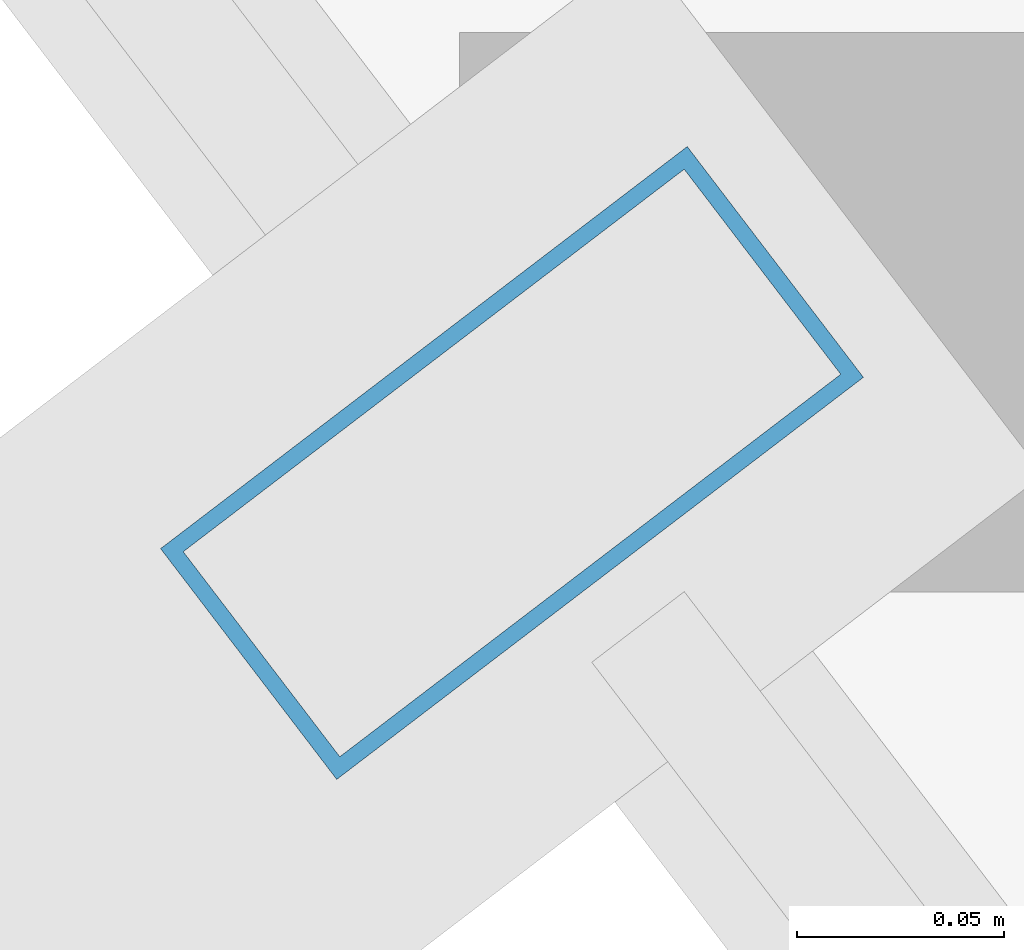
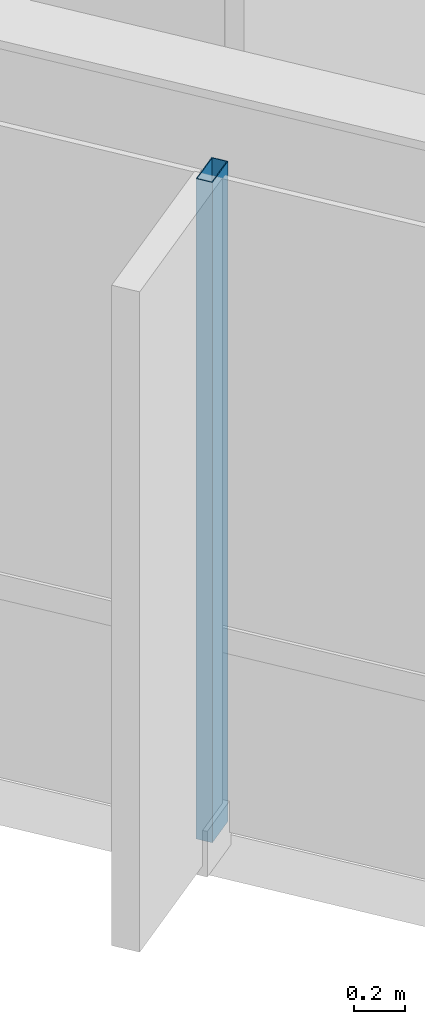
# One storey, part 5 of 22: 1 member, 1 element without a shape of its own.
"""IFC4 building model written with IfcOpenShell, lengths in metres."""

from ifc_helpers import new_model, si_unit, direction, frame, origin, origin_2d, place, context, subcontext, project, spatial, hollow_rectangle, extrude, material, layer, layer_set, material_profile, profile_set, type_object, element, aggregate, save


model = new_model("IFC4")

# Units and contexts
model_context = context("Model", 3, precision=1e-05, world=origin(), true_north=direction((0.0, 1.0)))
body_context = subcontext(model_context, "Body", "Model", "MODEL_VIEW")
ifc_project = project(units=[si_unit("LENGTHUNIT", "METRE"), si_unit("AREAUNIT", "SQUARE_METRE"), si_unit("VOLUMEUNIT", "CUBIC_METRE"), si_unit("PLANEANGLEUNIT", "RADIAN"), si_unit("MASSUNIT", "GRAM", prefix="KILO")], contexts=[model_context])

# Site, building, storey
site_placement = place(None, origin())
site = spatial("IfcSite", under=ifc_project, at=site_placement, CompositionType="ELEMENT")
building_placement = place(site_placement, origin())
building = spatial("IfcBuilding", under=site, at=building_placement, Name="Zarrinselat Tower", CompositionType="ELEMENT")
storey_placement = place(building_placement, frame((0.0, 0.0, 292.39990234375)))
storey = spatial("IfcBuildingStorey", under=building, at=storey_placement, Name="L75", CompositionType="ELEMENT", Elevation=292.39990234375)

# Curtain wall, member
ifc_material_1 = material(Name="Extruded Aluminium Alloy EN AW-6063 T6", Category="aluminium")
ifc_layer = layer(ifc_material_1, 0.169921875)
ifc_layer_set = layer_set([ifc_layer], Name="Extruded Aluminium Alloy EN AW-6063 T6")
curtain_wall_type = type_object("IfcCurtainWallType", Name="CWS-RES", PredefinedType="NOTDEFINED", material=ifc_layer_set)
curtain_wall_placement = place(storey_placement, origin())
curtain_wall = element("IfcCurtainWall", 1, at=curtain_wall_placement, inside=storey, type_object=curtain_wall_type, Name="L75 Unitised Curtain Wall CW-L75-E03", PredefinedType="NOTDEFINED")
ifc_material_2 = material(Name="Extruded Aluminium Alloy EN AW-6063 T6", Category="aluminium")
ifc_material_profile = material_profile(ifc_material_2, hollow_rectangle(XDim=0.070068359375, YDim=0.159912109375, WallThickness=0.00390625, at=origin_2d()), Name="RHS 160x70x4")
ifc_profile_set = profile_set([ifc_material_profile], Name="Extruded Aluminium Alloy EN AW-6063 T6")
member_type = type_object("IfcMemberType", Name="MEM-CW-MUL2", PredefinedType="MULLION", material=ifc_profile_set)
member_placement = place(storey_placement, frame((26.602294921875, 30.113525390625, 0.0), z_axis=(0.0, 0.0, 1.0), x_axis=(0.606801746242, -0.794853219631, 0.0)))
member = element("IfcMember", 2, at=member_placement, type_object=member_type, Name="CW-L75-E03 Mullion 5", PredefinedType="MULLION", context=body_context, shape_type="SweptSolid", body=[
    extrude(hollow_rectangle(XDim=0.070068359375, YDim=0.159912109375, WallThickness=0.00390625, at=origin_2d()), origin(), (0.0, 0.0, 1.0), 3.18017578125),
])
aggregate(curtain_wall, [member])

save(model, "model.ifc")
